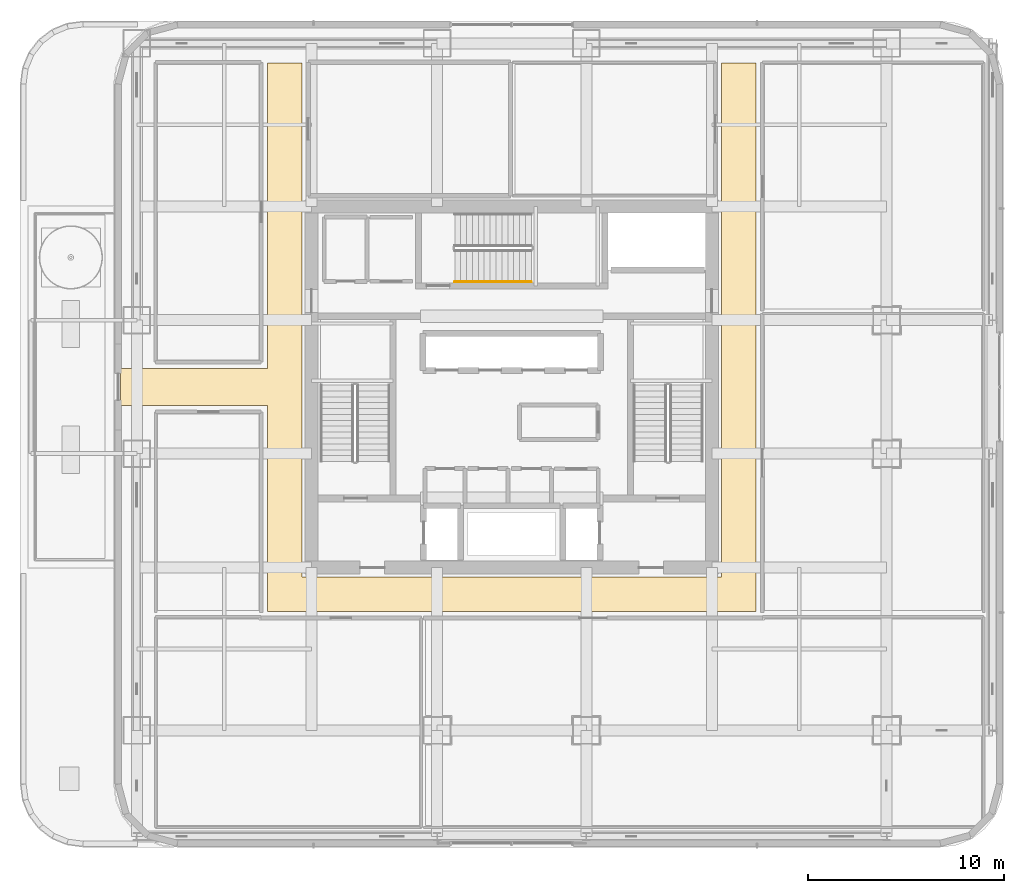
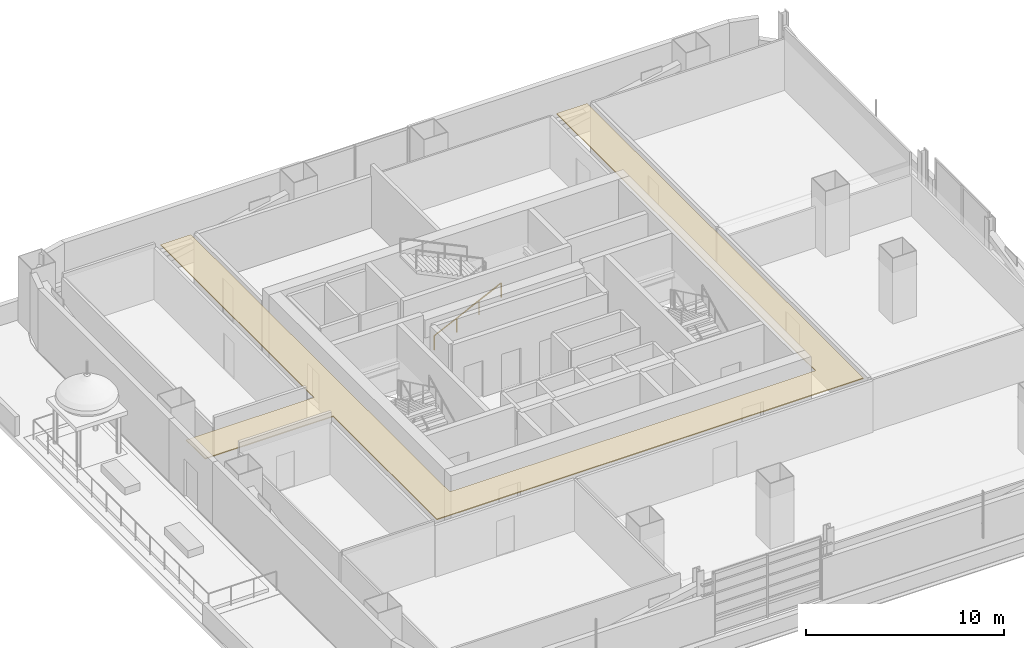
# One storey, part 19 of 27: 1 covering, 1 railing.
"""IFC4 building model written with IfcOpenShell, lengths in metres."""

from ifc_helpers import new_model, si_unit, direction, frame, origin, origin_2d, place, context, subcontext, project, spatial, polyline, circle, outline, extrude, material, layer, layer_set, type_object, element, save


model = new_model("IFC4")

# Units and contexts
model_context = context("Model", 3, precision=1e-05, world=origin(), true_north=direction((0.0, 1.0)))
body_context = subcontext(model_context, "Body", "Model", "MODEL_VIEW")
ifc_project = project(units=[si_unit("LENGTHUNIT", "METRE"), si_unit("AREAUNIT", "SQUARE_METRE"), si_unit("VOLUMEUNIT", "CUBIC_METRE"), si_unit("PLANEANGLEUNIT", "RADIAN"), si_unit("MASSUNIT", "GRAM", prefix="KILO")], contexts=[model_context])

# Site, building, storey
site_placement = place(None, origin())
site = spatial("IfcSite", under=ifc_project, at=site_placement, CompositionType="ELEMENT")
building_placement = place(site_placement, origin())
building = spatial("IfcBuilding", under=site, at=building_placement, Name="Punatoya Terracotta Tower", CompositionType="ELEMENT")
storey_placement = place(building_placement, frame((0.0, 0.0, 204.60009765625)))
storey = spatial("IfcBuildingStorey", under=building, at=storey_placement, Name="L48", CompositionType="ELEMENT", Elevation=204.60009765625)

# Covering
ifc_material_1 = material(Name="Acoustic Mineral Fibre Ceiling")
ifc_layer = layer(ifc_material_1, 0.06005859375)
ifc_layer_set = layer_set([ifc_layer], Name="Acoustic Mineral Fibre Ceiling")
covering_type = type_object("IfcCoveringType", Name="COV-CEIL-60", PredefinedType="CEILING", material=ifc_layer_set)
covering_placement = place(storey_placement, frame((0.0, 0.0, 3.159912109375)))
element("IfcCovering", 1, at=covering_placement, inside=storey, type_object=covering_type, Name="L48 Central Spine Circulation Corridor Acoustic Ceiling", PredefinedType="CEILING", context=body_context, shape_type="SweptSolid", body=[
    extrude(outline(polyline([(10.679931640625, 16.5), (10.679931640625, -9.679931640625), (-10.679931640625, -9.679931640625), (-10.679931640625, 16.5), (-12.449951171875, 16.5), (-12.449951171875, 0.949951171875), (-19.929931640625, 0.949951171875), (-19.929931640625, -0.949951171875), (-12.449951171875, -0.949951171875), (-12.449951171875, -11.449951171875), (12.449951171875, -11.449951171875), (12.449951171875, 16.5), (10.679931640625, 16.5)])), origin(), (0.0, 0.0, 1.0), 0.06005859375),
])

# Railing
ifc_material_2 = material(Name="Steel S355", Category="steel")
railing_type = type_object("IfcRailingType", Name="RLG-HND-900", PredefinedType="HANDRAIL", material=ifc_material_2)
railing_placement = place(storey_placement, frame((-2.89990234375, 5.35009765625, 0.14453125)))
element("IfcRailing", 2, at=railing_placement, inside=storey, type_object=railing_type, Name="L48 ST-3 stair handrail 1", PredefinedType="HANDRAIL", context=body_context, shape_type="SweptSolid", body=[
    extrude(circle(Radius=0.02392578125, at=origin_2d()), frame((0.0, 0.0, 0.8759765625), z_axis=(0.900763166376, 0.0, 0.434310623978), x_axis=(0.0, 1.0, 0.0)), (0.0, 0.0, 1.0), 4.32958984375),
    extrude(circle(Radius=0.02099609375, at=origin_2d()), origin(), (0.0, 0.0, 1.0), 0.851806640625),
    extrude(circle(Radius=0.02099609375, at=origin_2d()), frame((1.300048828125, 0.0, 0.626708984375)), (0.0, 0.0, 1.0), 0.851806640625),
    extrude(circle(Radius=0.02099609375, at=origin_2d()), frame((2.599853515625, 0.0, 1.253662109375)), (0.0, 0.0, 1.0), 0.851806640625),
    extrude(circle(Radius=0.02099609375, at=origin_2d()), frame((3.89990234375, 0.0, 1.88037109375)), (0.0, 0.0, 1.0), 0.851806640625),
])

save(model, "model.ifc")
